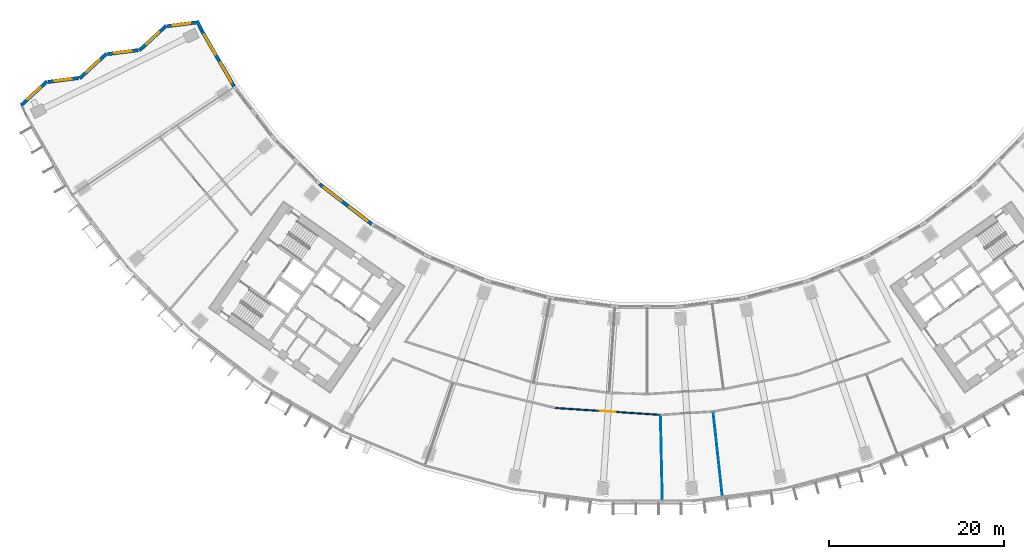
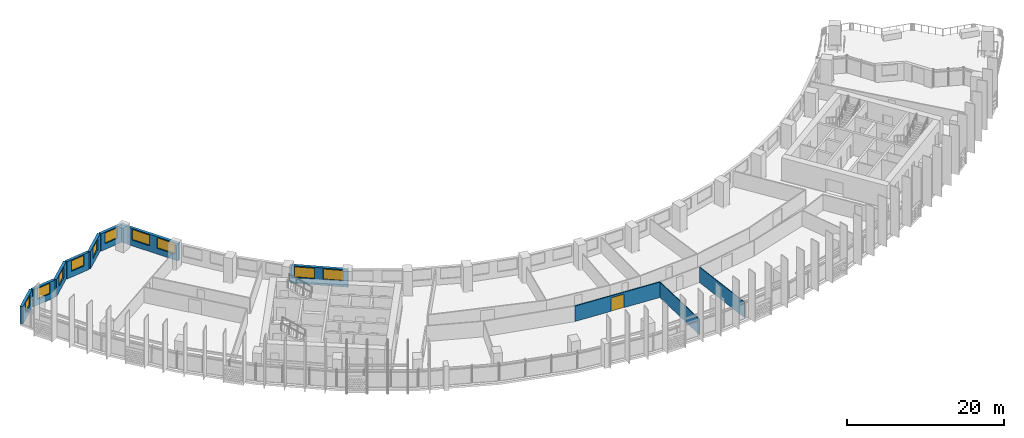
# One storey, part 5 of 33: 12 walls, 10 windows, 1 door, 11 openings.
"""IFC4 building model written with IfcOpenShell, lengths in metres."""

from ifc_helpers import new_model, si_unit, direction, frame, frame_2d, origin, place, context, subcontext, project, spatial, rectangle, extrude, material, layer, layer_set, type_object, element, fill, save


model = new_model("IFC4")

# Units and contexts
model_context = context("Model", 3, precision=1e-05, world=origin(), true_north=direction((0.0, 1.0)))
body_context = subcontext(model_context, "Body", "Model", "MODEL_VIEW")
ifc_project = project(units=[si_unit("LENGTHUNIT", "METRE"), si_unit("AREAUNIT", "SQUARE_METRE"), si_unit("VOLUMEUNIT", "CUBIC_METRE"), si_unit("PLANEANGLEUNIT", "RADIAN"), si_unit("MASSUNIT", "GRAM", prefix="KILO")], contexts=[model_context])

# Site, building, storey
site_placement = place(None, origin())
site = spatial("IfcSite", under=ifc_project, at=site_placement, CompositionType="ELEMENT")
building_placement = place(site_placement, origin())
building = spatial("IfcBuilding", under=site, at=building_placement, Name="Qamariyya Broadcast Tower", CompositionType="ELEMENT")
storey_placement = place(building_placement, frame((0.0, 0.0, 94.89990234375)))
storey = spatial("IfcBuildingStorey", under=building, at=storey_placement, Name="L20", CompositionType="ELEMENT", Elevation=94.89990234375)

# Wall, opening, door
ifc_material_1 = material(Name="Gypsum board partition")
ifc_layer_1 = layer(ifc_material_1, 0.14990234375)
ifc_layer_set_1 = layer_set([ifc_layer_1], Name="Corridor partition 150 EI 60")
wall_type_1 = type_object("IfcWallType", Name="Corridor partition 150 EI 60", PredefinedType="PARTITIONING", material=ifc_layer_set_1)
wall_1_placement = place(storey_placement, frame((1.511474609375, -69.18359375, 0.0), z_axis=(0.0, 0.0, 1.0), x_axis=(-0.997858726007, 0.065406138338, 0.0)))
wall_1 = element("IfcWall", 1, at=wall_1_placement, inside=storey, type_object=wall_type_1, Name="Partition L20-016", PredefinedType="PARTITIONING", context=body_context, shape_type="SweptSolid", body=[
    extrude(rectangle(XDim=12.056640625, YDim=0.14990234375, at=frame_2d((6.0283203125, 0.0))), origin(), (0.0, 0.0, 1.0), 2.400146484375),
])
opening_1_placement = place(wall_1_placement, frame((5.12841796875, 0.0, 0.0)))
opening_1 = element("IfcOpeningElement", 2, at=opening_1_placement, cuts=wall_1, Name="Opening L20-D02", PredefinedType="OPENING", context=body_context, shape_type="SweptSolid", body=[
    extrude(rectangle(XDim=1.800048828125, YDim=2.10009765625, at=frame_2d((0.89990234375, 1.050048828125))), frame((0.0, 0.0849609375, 0.0), z_axis=(0.0, -1.0, 0.0), x_axis=(1.0, 0.0, 0.0)), (0.0, 0.0, 1.0), 0.169921875),
])
ifc_material_2 = material(Name="Timber fire door leaf", Category="wood")
door_type = type_object("IfcDoorType", Name="Double fire door 1800 x 2100 FD60", OperationType="NOTDEFINED", PredefinedType="DOOR", material=ifc_material_2)
door_placement = place(opening_1_placement, origin())
door = element("IfcDoor", 3, at=door_placement, inside=storey, type_object=door_type, Name="Door L20-D02", OperationType="DOUBLE_DOOR_SINGLE_SWING", OverallHeight=2.10009765625, OverallWidth=1.800048828125, PredefinedType="DOOR", context=body_context, shape_type="SweptSolid", body=[
    extrude(rectangle(XDim=1.800048828125, YDim=2.10009765625, at=frame_2d((0.89990234375, 1.050048828125))), frame((0.0, 0.02490234375, 0.0), z_axis=(0.0, -1.0, 0.0), x_axis=(1.0, 0.0, 0.0)), (0.0, 0.0, 1.0), 0.050048828125),
])
fill(opening_1, door)

# Walls
ifc_layer_2 = layer(ifc_material_1, 0.10009765625)
ifc_layer_set_2 = layer_set([ifc_layer_2], Name="Partition 100")
wall_type_2 = type_object("IfcWallType", Name="Partition 100", PredefinedType="PARTITIONING", material=ifc_layer_set_2)
for number, where, z_axis, x_axis, name in (
    (4, (1.724365234375, -78.93017578125, 0.0), (0.0, 0.0, 1.0), (-0.021829960086, 0.999761698027, 0.0), "Partition L20-022"),
    (5, (8.5927734375, -78.47998046875, 0.0), (0.0, 0.0, 1.0), (-0.10884699726, 0.994058514972, 0.0), "Partition L20-025"),
):
    element("IfcWall", number, at=place(storey_placement, frame(where, z_axis=z_axis, x_axis=x_axis)), inside=storey, type_object=wall_type_2, Name=name, PredefinedType="PARTITIONING", context=body_context, shape_type="SweptSolid", body=[
        extrude(rectangle(XDim=9.673828125, YDim=0.10009765625, at=frame_2d((4.8369140625, 0.0))), origin(), (0.0, 0.0, 1.0), 2.400146484375),
    ])

# Wall, opening, window
ifc_material_3 = material(Name="Terracotta", Category="masonry")
ifc_layer_3 = layer(ifc_material_3, 0.39990234375)
ifc_layer_set_3 = layer_set([ifc_layer_3], Name="Terracotta clad wall 400")
wall_type_3 = type_object("IfcWallType", Name="Terracotta clad wall 400", PredefinedType="SOLIDWALL", material=ifc_layer_set_3)
wall_2_placement = place(storey_placement, frame((-51.731689453125, -24.255859375, 0.0), z_axis=(0.0, 0.0, 1.0), x_axis=(-0.991833620216, -0.127538503246, 0.0)))
wall_2 = element("IfcWall", 6, at=wall_2_placement, inside=storey, type_object=wall_type_3, Name="e-wl-L20-capW0", PredefinedType="SOLIDWALL", context=body_context, shape_type="SweptSolid", body=[
    extrude(rectangle(XDim=3.275390625, YDim=0.39990234375, at=frame_2d((1.6376953125, 0.0))), origin(), (0.0, 0.0, 1.0), 2.7001953125),
])
opening_2_placement = place(wall_2_placement, frame((0.637451171875, 0.0, 0.89990234375)))
opening_2 = element("IfcOpeningElement", 7, at=opening_2_placement, cuts=wall_2, Name="Opening W2", PredefinedType="OPENING", context=body_context, shape_type="SweptSolid", body=[
    extrude(rectangle(XDim=2.0, YDim=1.64990234375, at=frame_2d((1.0, 0.824951171875))), frame((0.0, 0.2099609375, 0.0), z_axis=(0.0, -1.0, 0.0), x_axis=(1.0, 0.0, 0.0)), (0.0, 0.0, 1.0), 0.419921875),
])
ifc_material_4 = material(Name="Clear low-e double glazed unit in aluminium frame", Category="aluminium")
window_type_1 = type_object("IfcWindowType", Name="Facade window 2000 x 1650", PartitioningType="SINGLE_PANEL", PredefinedType="WINDOW", material=ifc_material_4)
window_1_placement = place(opening_2_placement, origin())
window_1 = element("IfcWindow", 8, at=window_1_placement, inside=storey, type_object=window_type_1, Name="e-w-L20-capW0", OverallHeight=1.64990234375, OverallWidth=2.0, PartitioningType="SINGLE_PANEL", PredefinedType="WINDOW", context=body_context, shape_type="SweptSolid", body=[
    extrude(rectangle(XDim=2.0, YDim=1.64990234375, at=frame_2d((1.0, 0.824951171875))), frame((0.0, 0.030029296875, 0.0), z_axis=(0.0, -1.0, 0.0), x_axis=(1.0, 0.0, 0.0)), (0.0, 0.0, 1.0), 0.06005859375),
])
fill(opening_2, window_1)

wall_3_placement = place(storey_placement, frame((-55.10302734375, -24.622314453125, 0.0), z_axis=(0.0, 0.0, 1.0), x_axis=(-0.735303101002, -0.677738407984, 0.0)))
wall_3 = element("IfcWall", 9, at=wall_3_placement, inside=storey, type_object=wall_type_3, Name="e-wl-L20-capW1", PredefinedType="SOLIDWALL", context=body_context, shape_type="SweptSolid", body=[
    extrude(rectangle(XDim=4.194580078125, YDim=0.39990234375, at=frame_2d((2.09716796875, 0.0))), origin(), (0.0, 0.0, 1.0), 2.7001953125),
])
opening_3_placement = place(wall_3_placement, frame((1.09716796875, 0.0, 0.89990234375)))
opening_3 = element("IfcOpeningElement", 10, at=opening_3_placement, cuts=wall_3, Name="Opening W2", PredefinedType="OPENING", context=body_context, shape_type="SweptSolid", body=[
    extrude(rectangle(XDim=2.0, YDim=1.64990234375, at=frame_2d((1.0, 0.824951171875))), frame((0.0, 0.2099609375, 0.0), z_axis=(0.0, -1.0, 0.0), x_axis=(1.0, 0.0, 0.0)), (0.0, 0.0, 1.0), 0.419921875),
])
window_2_placement = place(opening_3_placement, origin())
window_2 = element("IfcWindow", 11, at=window_2_placement, inside=storey, type_object=window_type_1, Name="e-w-L20-capW1", OverallHeight=1.64990234375, OverallWidth=2.0, PartitioningType="SINGLE_PANEL", PredefinedType="WINDOW", context=body_context, shape_type="SweptSolid", body=[
    extrude(rectangle(XDim=2.0, YDim=1.64990234375, at=frame_2d((1.0, 0.824951171875))), frame((0.0, 0.030029296875, 0.0), z_axis=(0.0, -1.0, 0.0), x_axis=(1.0, 0.0, 0.0)), (0.0, 0.0, 1.0), 0.06005859375),
])
fill(opening_3, window_2)

wall_4_placement = place(storey_placement, frame((-58.310302734375, -27.413818359375, 0.0), z_axis=(0.0, 0.0, 1.0), x_axis=(-0.991818369645, -0.127657046948, 0.0)))
wall_4 = element("IfcWall", 12, at=wall_4_placement, inside=storey, type_object=wall_type_3, Name="e-wl-L20-capW2", PredefinedType="SOLIDWALL", context=body_context, shape_type="SweptSolid", body=[
    extrude(rectangle(XDim=3.524658203125, YDim=0.39990234375, at=frame_2d((1.76220703125, 0.0))), origin(), (0.0, 0.0, 1.0), 2.7001953125),
])
opening_4_placement = place(wall_4_placement, frame((0.762451171875, 0.0, 0.89990234375)))
opening_4 = element("IfcOpeningElement", 13, at=opening_4_placement, cuts=wall_4, Name="Opening W2", PredefinedType="OPENING", context=body_context, shape_type="SweptSolid", body=[
    extrude(rectangle(XDim=2.0, YDim=1.64990234375, at=frame_2d((1.0, 0.824951171875))), frame((0.0, 0.2099609375, 0.0), z_axis=(0.0, -1.0, 0.0), x_axis=(1.0, 0.0, 0.0)), (0.0, 0.0, 1.0), 0.419921875),
])
window_3_placement = place(opening_4_placement, origin())
window_3 = element("IfcWindow", 14, at=window_3_placement, inside=storey, type_object=window_type_1, Name="e-w-L20-capW2", OverallHeight=1.64990234375, OverallWidth=2.0, PartitioningType="SINGLE_PANEL", PredefinedType="WINDOW", context=body_context, shape_type="SweptSolid", body=[
    extrude(rectangle(XDim=2.0, YDim=1.64990234375, at=frame_2d((1.0, 0.824951171875))), frame((0.0, 0.030029296875, 0.0), z_axis=(0.0, -1.0, 0.0), x_axis=(1.0, 0.0, 0.0)), (0.0, 0.0, 1.0), 0.06005859375),
])
fill(opening_4, window_3)

wall_5_placement = place(storey_placement, frame((-61.928955078125, -27.8125, 0.0), z_axis=(0.0, 0.0, 1.0), x_axis=(-0.735227410121, -0.67782051858, 0.0)))
wall_5 = element("IfcWall", 15, at=wall_5_placement, inside=storey, type_object=wall_type_3, Name="e-wl-L20-capW3", PredefinedType="SOLIDWALL", context=body_context, shape_type="SweptSolid", body=[
    extrude(rectangle(XDim=4.193359375, YDim=0.39990234375, at=frame_2d((2.0966796875, 0.0))), origin(), (0.0, 0.0, 1.0), 2.7001953125),
])
opening_5_placement = place(wall_5_placement, frame((1.0966796875, 0.0, 0.89990234375)))
opening_5 = element("IfcOpeningElement", 16, at=opening_5_placement, cuts=wall_5, Name="Opening W2", PredefinedType="OPENING", context=body_context, shape_type="SweptSolid", body=[
    extrude(rectangle(XDim=2.0, YDim=1.64990234375, at=frame_2d((1.0, 0.824951171875))), frame((0.0, 0.2099609375, 0.0), z_axis=(0.0, -1.0, 0.0), x_axis=(1.0, 0.0, 0.0)), (0.0, 0.0, 1.0), 0.419921875),
])
window_4_placement = place(opening_5_placement, origin())
window_4 = element("IfcWindow", 17, at=window_4_placement, inside=storey, type_object=window_type_1, Name="e-w-L20-capW3", OverallHeight=1.64990234375, OverallWidth=2.0, PartitioningType="SINGLE_PANEL", PredefinedType="WINDOW", context=body_context, shape_type="SweptSolid", body=[
    extrude(rectangle(XDim=2.0, YDim=1.64990234375, at=frame_2d((1.0, 0.824951171875))), frame((0.0, 0.030029296875, 0.0), z_axis=(0.0, -1.0, 0.0), x_axis=(1.0, 0.0, 0.0)), (0.0, 0.0, 1.0), 0.06005859375),
])
fill(opening_5, window_4)

wall_6_placement = place(storey_placement, frame((-65.135009765625, -30.603515625, 0.0), z_axis=(0.0, 0.0, 1.0), x_axis=(-0.99180534354, -0.127758211187, 0.0)))
wall_6 = element("IfcWall", 18, at=wall_6_placement, inside=storey, type_object=wall_type_3, Name="e-wl-L20-capW4", PredefinedType="SOLIDWALL", context=body_context, shape_type="SweptSolid", body=[
    extrude(rectangle(XDim=3.525634765625, YDim=0.39990234375, at=frame_2d((1.7626953125, 0.0))), origin(), (0.0, 0.0, 1.0), 2.7001953125),
])
opening_6_placement = place(wall_6_placement, frame((0.762939453125, 0.0, 0.89990234375)))
opening_6 = element("IfcOpeningElement", 19, at=opening_6_placement, cuts=wall_6, Name="Opening W2", PredefinedType="OPENING", context=body_context, shape_type="SweptSolid", body=[
    extrude(rectangle(XDim=2.0, YDim=1.64990234375, at=frame_2d((1.0, 0.824951171875))), frame((0.0, 0.2099609375, 0.0), z_axis=(0.0, -1.0, 0.0), x_axis=(1.0, 0.0, 0.0)), (0.0, 0.0, 1.0), 0.419921875),
])
window_5_placement = place(opening_6_placement, origin())
window_5 = element("IfcWindow", 20, at=window_5_placement, inside=storey, type_object=window_type_1, Name="e-w-L20-capW4", OverallHeight=1.64990234375, OverallWidth=2.0, PartitioningType="SINGLE_PANEL", PredefinedType="WINDOW", context=body_context, shape_type="SweptSolid", body=[
    extrude(rectangle(XDim=2.0, YDim=1.64990234375, at=frame_2d((1.0, 0.824951171875))), frame((0.0, 0.030029296875, 0.0), z_axis=(0.0, -1.0, 0.0), x_axis=(1.0, 0.0, 0.0)), (0.0, 0.0, 1.0), 0.06005859375),
])
fill(opening_6, window_5)

wall_7_placement = place(storey_placement, frame((-68.754638671875, -31.002685546875, 0.0), z_axis=(0.0, 0.0, 1.0), x_axis=(-0.735176468364, -0.677875770598, 0.0)))
wall_7 = element("IfcWall", 21, at=wall_7_placement, inside=storey, type_object=wall_type_3, Name="e-wl-L20-capW5", PredefinedType="SOLIDWALL", context=body_context, shape_type="SweptSolid", body=[
    extrude(rectangle(XDim=4.013671875, YDim=0.39990234375, at=frame_2d((2.0068359375, 0.0))), origin(), (0.0, 0.0, 1.0), 2.7001953125),
])
opening_7_placement = place(wall_7_placement, frame((1.0068359375, 0.0, 0.89990234375)))
opening_7 = element("IfcOpeningElement", 22, at=opening_7_placement, cuts=wall_7, Name="Opening W2", PredefinedType="OPENING", context=body_context, shape_type="SweptSolid", body=[
    extrude(rectangle(XDim=2.0, YDim=1.64990234375, at=frame_2d((1.0, 0.824951171875))), frame((0.0, 0.2099609375, 0.0), z_axis=(0.0, -1.0, 0.0), x_axis=(1.0, 0.0, 0.0)), (0.0, 0.0, 1.0), 0.419921875),
])
window_6_placement = place(opening_7_placement, origin())
window_6 = element("IfcWindow", 23, at=window_6_placement, inside=storey, type_object=window_type_1, Name="e-w-L20-capW5", OverallHeight=1.64990234375, OverallWidth=2.0, PartitioningType="SINGLE_PANEL", PredefinedType="WINDOW", context=body_context, shape_type="SweptSolid", body=[
    extrude(rectangle(XDim=2.0, YDim=1.64990234375, at=frame_2d((1.0, 0.824951171875))), frame((0.0, 0.030029296875, 0.0), z_axis=(0.0, -1.0, 0.0), x_axis=(1.0, 0.0, 0.0)), (0.0, 0.0, 1.0), 0.06005859375),
])
fill(opening_7, window_6)

# Wall
wall_8_placement = place(storey_placement, frame((-51.023193359375, -25.184814453125, 0.0), z_axis=(0.0, 0.0, 1.0), x_axis=(-0.432768989609, 0.901504853915, 0.0)))
element("IfcWall", 24, at=wall_8_placement, inside=storey, type_object=wall_type_3, Name="e-wl-L20-in00", PredefinedType="SOLIDWALL", context=body_context, shape_type="SweptSolid", body=[
    extrude(rectangle(XDim=1.255859375, YDim=0.39990234375, at=frame_2d((0.6279296875, 0.0))), origin(), (0.0, 0.0, 1.0), 2.7001953125),
])

# Wall, openings, windows
wall_9_placement = place(storey_placement, frame((-47.33642578125, -31.568359375, 0.0), z_axis=(0.0, 0.0, 1.0), x_axis=(-0.499986743006, 0.866033057578, 0.0)))
wall_9 = element("IfcWall", 25, at=wall_9_placement, inside=storey, type_object=wall_type_3, Name="e-wl-L20-in10", PredefinedType="SOLIDWALL", context=body_context, shape_type="SweptSolid", body=[
    extrude(rectangle(XDim=7.356689453125, YDim=0.39990234375, at=frame_2d((3.67822265625, 0.0))), origin(), (0.0, 0.0, 1.0), 2.7001953125),
])
opening_8_placement = place(wall_9_placement, frame((4.224853515625, 0.0, 0.89990234375)))
opening_8 = element("IfcOpeningElement", 26, at=opening_8_placement, cuts=wall_9, Name="Opening W1", PredefinedType="OPENING", context=body_context, shape_type="SweptSolid", body=[
    extrude(rectangle(XDim=2.60009765625, YDim=1.64990234375, at=frame_2d((1.300048828125, 0.824951171875))), frame((0.0, 0.2099609375, 0.0), z_axis=(0.0, -1.0, 0.0), x_axis=(1.0, 0.0, 0.0)), (0.0, 0.0, 1.0), 0.419921875),
])
opening_9_placement = place(wall_9_placement, frame((0.5166015625, 0.0, 0.89990234375)))
opening_9 = element("IfcOpeningElement", 27, at=opening_9_placement, cuts=wall_9, Name="Opening W1", PredefinedType="OPENING", context=body_context, shape_type="SweptSolid", body=[
    extrude(rectangle(XDim=2.60009765625, YDim=1.64990234375, at=frame_2d((1.300048828125, 0.824951171875))), frame((0.0, 0.2099609375, 0.0), z_axis=(0.0, -1.0, 0.0), x_axis=(1.0, 0.0, 0.0)), (0.0, 0.0, 1.0), 0.419921875),
])
window_type_2 = type_object("IfcWindowType", Name="Ribbon window 2600 x 1650", PartitioningType="SINGLE_PANEL", PredefinedType="WINDOW", material=ifc_material_4)
window_7_placement = place(opening_8_placement, origin())
window_7 = element("IfcWindow", 28, at=window_7_placement, inside=storey, type_object=window_type_2, Name="e-w-L20-in01-0", OverallHeight=1.64990234375, OverallWidth=2.60009765625, PartitioningType="SINGLE_PANEL", PredefinedType="WINDOW", context=body_context, shape_type="SweptSolid", body=[
    extrude(rectangle(XDim=2.60009765625, YDim=1.64990234375, at=frame_2d((1.300048828125, 0.824951171875))), frame((0.0, 0.030029296875, 0.0), z_axis=(0.0, -1.0, 0.0), x_axis=(1.0, 0.0, 0.0)), (0.0, 0.0, 1.0), 0.06005859375),
])
fill(opening_8, window_7)
window_8_placement = place(opening_9_placement, origin())
window_8 = element("IfcWindow", 29, at=window_8_placement, inside=storey, type_object=window_type_2, Name="e-w-L20-in01-1", OverallHeight=1.64990234375, OverallWidth=2.60009765625, PartitioningType="SINGLE_PANEL", PredefinedType="WINDOW", context=body_context, shape_type="SweptSolid", body=[
    extrude(rectangle(XDim=2.60009765625, YDim=1.64990234375, at=frame_2d((1.300048828125, 0.824951171875))), frame((0.0, 0.030029296875, 0.0), z_axis=(0.0, -1.0, 0.0), x_axis=(1.0, 0.0, 0.0)), (0.0, 0.0, 1.0), 0.06005859375),
])
fill(opening_9, window_8)

wall_10_placement = place(storey_placement, frame((-31.59228515625, -47.326171875, 0.0), z_axis=(0.0, 0.0, 1.0), x_axis=(-0.793363487476, 0.608748204711, 0.0)))
wall_10 = element("IfcWall", 30, at=wall_10_placement, inside=storey, type_object=wall_type_3, Name="e-wl-L20-in40", PredefinedType="SOLIDWALL", context=body_context, shape_type="SweptSolid", body=[
    extrude(rectangle(XDim=7.492919921875, YDim=0.39990234375, at=frame_2d((3.74658203125, 0.0))), origin(), (0.0, 0.0, 1.0), 2.7001953125),
])
opening_10_placement = place(wall_10_placement, frame((4.300537109375, 0.0, 0.89990234375)))
opening_10 = element("IfcOpeningElement", 31, at=opening_10_placement, cuts=wall_10, Name="Opening W1", PredefinedType="OPENING", context=body_context, shape_type="SweptSolid", body=[
    extrude(rectangle(XDim=2.60009765625, YDim=1.64990234375, at=frame_2d((1.300048828125, 0.824951171875))), frame((0.0, 0.2099609375, 0.0), z_axis=(0.0, -1.0, 0.0), x_axis=(1.0, 0.0, 0.0)), (0.0, 0.0, 1.0), 0.419921875),
])
opening_11_placement = place(wall_10_placement, frame((0.59228515625, 0.0, 0.89990234375)))
opening_11 = element("IfcOpeningElement", 32, at=opening_11_placement, cuts=wall_10, Name="Opening W1", PredefinedType="OPENING", context=body_context, shape_type="SweptSolid", body=[
    extrude(rectangle(XDim=2.60009765625, YDim=1.64990234375, at=frame_2d((1.300048828125, 0.824951171875))), frame((0.0, 0.2099609375, 0.0), z_axis=(0.0, -1.0, 0.0), x_axis=(1.0, 0.0, 0.0)), (0.0, 0.0, 1.0), 0.419921875),
])
window_9_placement = place(opening_10_placement, origin())
window_9 = element("IfcWindow", 33, at=window_9_placement, inside=storey, type_object=window_type_2, Name="e-w-L20-in04-0", OverallHeight=1.64990234375, OverallWidth=2.60009765625, PartitioningType="SINGLE_PANEL", PredefinedType="WINDOW", context=body_context, shape_type="SweptSolid", body=[
    extrude(rectangle(XDim=2.60009765625, YDim=1.64990234375, at=frame_2d((1.300048828125, 0.824951171875))), frame((0.0, 0.030029296875, 0.0), z_axis=(0.0, -1.0, 0.0), x_axis=(1.0, 0.0, 0.0)), (0.0, 0.0, 1.0), 0.06005859375),
])
fill(opening_10, window_9)
window_10_placement = place(opening_11_placement, origin())
window_10 = element("IfcWindow", 34, at=window_10_placement, inside=storey, type_object=window_type_2, Name="e-w-L20-in04-1", OverallHeight=1.64990234375, OverallWidth=2.60009765625, PartitioningType="SINGLE_PANEL", PredefinedType="WINDOW", context=body_context, shape_type="SweptSolid", body=[
    extrude(rectangle(XDim=2.60009765625, YDim=1.64990234375, at=frame_2d((1.300048828125, 0.824951171875))), frame((0.0, 0.030029296875, 0.0), z_axis=(0.0, -1.0, 0.0), x_axis=(1.0, 0.0, 0.0)), (0.0, 0.0, 1.0), 0.06005859375),
])
fill(opening_11, window_10)

save(model, "model.ifc")
